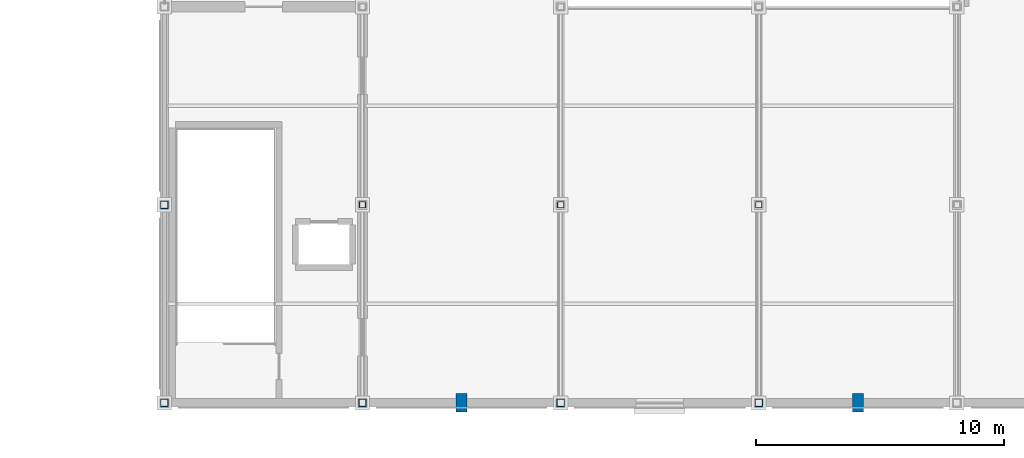
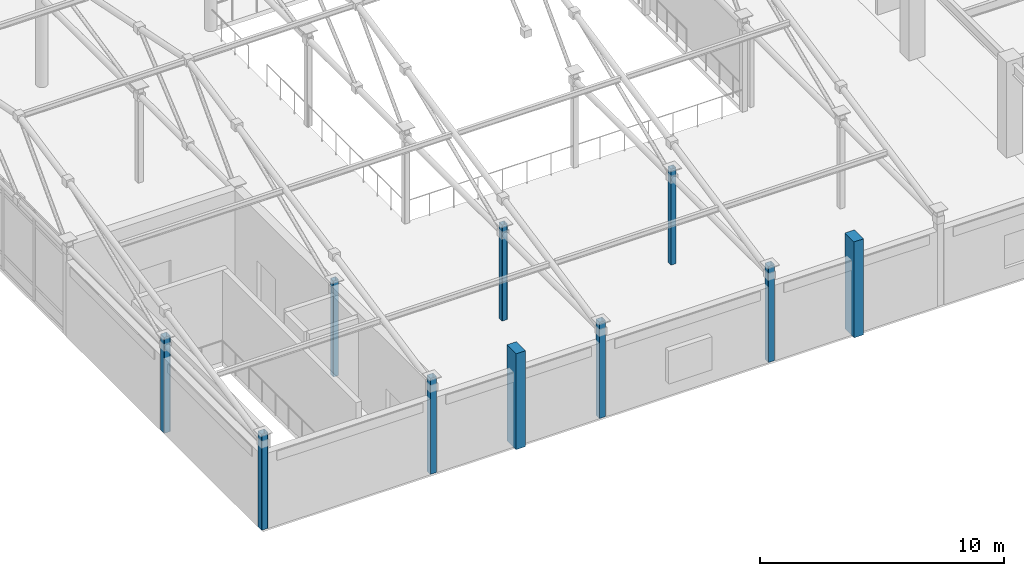
# One storey, part 1 of 117: 10 columns.
"""IFC4 building model written with IfcOpenShell, lengths in metres."""

from ifc_helpers import new_model, si_unit, direction, frame, origin, origin_2d, place, context, subcontext, project, spatial, rectangle, hollow_rectangle, extrude, material, material_profile, profile_set, type_object, element, save


model = new_model("IFC4")

# Units and contexts
model_context = context("Model", 3, precision=1e-05, world=origin(), true_north=direction((0.0, 1.0)))
body_context = subcontext(model_context, "Body", "Model", "MODEL_VIEW")
ifc_project = project(units=[si_unit("LENGTHUNIT", "METRE"), si_unit("AREAUNIT", "SQUARE_METRE"), si_unit("VOLUMEUNIT", "CUBIC_METRE"), si_unit("PLANEANGLEUNIT", "RADIAN"), si_unit("MASSUNIT", "GRAM", prefix="KILO")], contexts=[model_context])

# Site, building, storey
site_placement = place(None, origin())
site = spatial("IfcSite", under=ifc_project, at=site_placement, CompositionType="ELEMENT")
building_placement = place(site_placement, origin())
building = spatial("IfcBuilding", under=site, at=building_placement, Name="Solmirada Galleria", CompositionType="ELEMENT")
storey_placement = place(building_placement, frame((0.0, 0.0, 5.60009765625)))
storey = spatial("IfcBuildingStorey", under=building, at=storey_placement, Name="L01", CompositionType="ELEMENT", Elevation=5.60009765625)

# Columns
ifc_material_1 = material(Name="Steel S355 / ASTM A500 Grade C", Category="steel")
ifc_material_profile_1 = material_profile(ifc_material_1, hollow_rectangle(XDim=0.25390625, YDim=0.25390625, WallThickness=0.0087890625, InnerFilletRadius=0.0087890625, OuterFilletRadius=0.017822265625, at=origin_2d()), Name="HSS10X10X3/8")
ifc_profile_set_1 = profile_set([ifc_material_profile_1], Name="Steel S355 / ASTM A500 Grade C")
column_type_1 = type_object("IfcColumnType", Name="COL-HSS10", PredefinedType="COLUMN", material=ifc_profile_set_1)
for number, where, z_axis, x_axis, name in (
    (1, (48.0, 8.0, 0.0), (0.0, 0.0, 1.0), (1.0, 0.0, 0.0), "Structural column L01-0085"),
    (2, (56.0, 8.0, 0.0), (0.0, 0.0, 1.0), (1.0, 0.0, 0.0), "Structural column L01-0152"),
    (3, (64.0, 8.0, 0.0), (0.0, 0.0, 1.0), (1.0, 0.0, 0.0), "Structural column L01-0219"),
):
    element("IfcColumn", number, at=place(storey_placement, frame(where, z_axis=z_axis, x_axis=x_axis)), inside=storey, type_object=column_type_1, Name=name, PredefinedType="COLUMN", context=body_context, shape_type="SweptSolid", body=[
        extrude(hollow_rectangle(XDim=0.25390625, YDim=0.25390625, WallThickness=0.0087890625, InnerFilletRadius=0.0087890625, OuterFilletRadius=0.017822265625, at=origin_2d()), origin(), (0.0, 0.0, 1.0), 4.7998046875),
    ])
ifc_material_profile_2 = material_profile(ifc_material_1, hollow_rectangle(XDim=0.304931640625, YDim=0.304931640625, WallThickness=0.01171875, InnerFilletRadius=0.01171875, OuterFilletRadius=0.023681640625, at=origin_2d()), Name="HSS12X12X1/2")
ifc_profile_set_2 = profile_set([ifc_material_profile_2], Name="Steel S355 / ASTM A500 Grade C")
column_type_2 = type_object("IfcColumnType", Name="COL-HSS12", PredefinedType="COLUMN", material=ifc_profile_set_2)
for number, where, z_axis, x_axis, name in (
    (4, (40.0, 0.0, 0.0), (0.0, 0.0, 1.0), (1.0, 0.0, 0.0), "Structural column L01-0019"),
    (5, (40.0, 8.0, 0.0), (0.0, 0.0, 1.0), (1.0, 0.0, 0.0), "Structural column L01-0022"),
    (6, (48.0, 0.0, 0.0), (0.0, 0.0, 1.0), (1.0, 0.0, 0.0), "Structural column L01-0082"),
    (7, (56.0, 0.0, 0.0), (0.0, 0.0, 1.0), (1.0, 0.0, 0.0), "Structural column L01-0149"),
    (8, (64.0, 0.0, 0.0), (0.0, 0.0, 1.0), (1.0, 0.0, 0.0), "Structural column L01-0216"),
):
    element("IfcColumn", number, at=place(storey_placement, frame(where, z_axis=z_axis, x_axis=x_axis)), inside=storey, type_object=column_type_2, Name=name, PredefinedType="COLUMN", context=body_context, shape_type="SweptSolid", body=[
        extrude(hollow_rectangle(XDim=0.304931640625, YDim=0.304931640625, WallThickness=0.01171875, InnerFilletRadius=0.01171875, OuterFilletRadius=0.023681640625, at=origin_2d()), origin(), (0.0, 0.0, 1.0), 4.7998046875),
    ])
ifc_material_2 = material(Name="Precast concrete C40/50", Category="concrete")
ifc_material_profile_3 = material_profile(ifc_material_2, rectangle(XDim=0.449951171875, YDim=0.75, at=origin_2d()), Name="RC750X450")
ifc_profile_set_3 = profile_set([ifc_material_profile_3], Name="Precast concrete C40/50")
column_type_3 = type_object("IfcColumnType", Name="PIL-RC750", PredefinedType="PILASTER", material=ifc_profile_set_3)
for number, where, z_axis, x_axis, name in (
    (9, (52.0, 0.0, 0.0), (0.0, 0.0, 1.0), (1.0, 0.0, 0.0), "Avenue pilaster L01-018"),
    (10, (68.0, 0.0, 0.0), (0.0, 0.0, 1.0), (1.0, 0.0, 0.0), "Avenue pilaster L01-021"),
):
    element("IfcColumn", number, at=place(storey_placement, frame(where, z_axis=z_axis, x_axis=x_axis)), inside=storey, type_object=column_type_3, Name=name, PredefinedType="PILASTER", context=body_context, shape_type="SweptSolid", body=[
        extrude(rectangle(XDim=0.449951171875, YDim=0.75, at=origin_2d()), origin(), (0.0, 0.0, 1.0), 4.7998046875),
    ])

save(model, "model.ifc")
